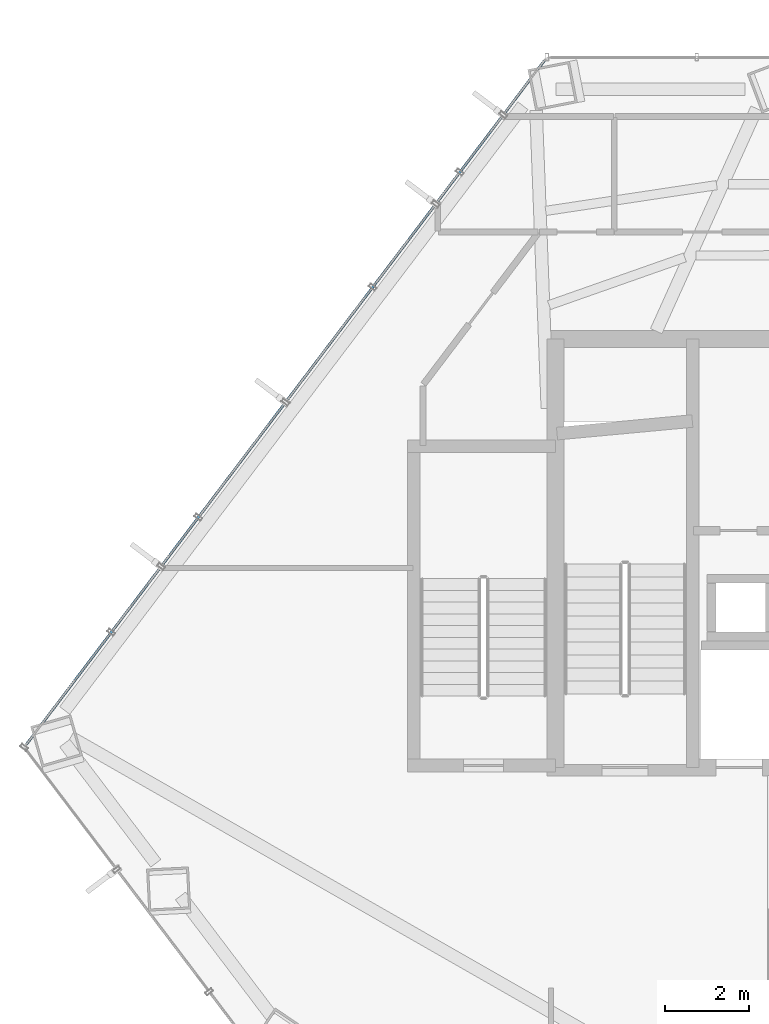
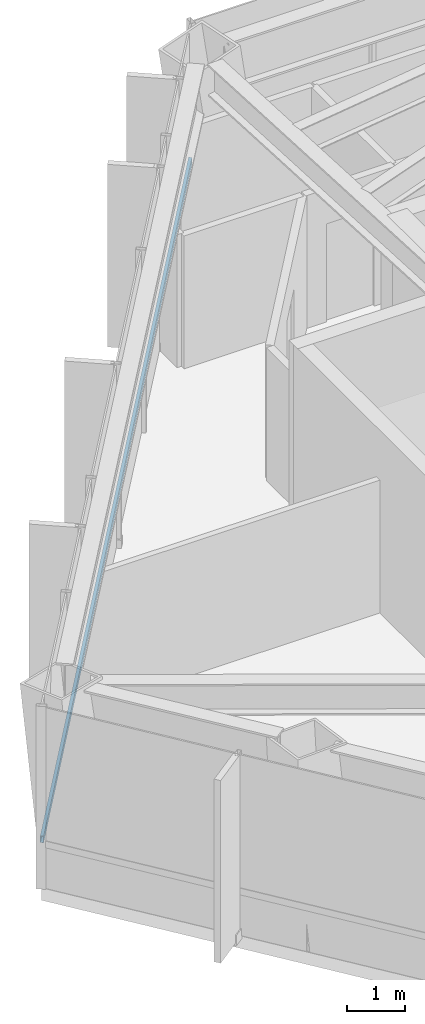
# One storey, part 12 of 26: 1 member, 1 element without a shape of its own.
"""IFC4 building model written with IfcOpenShell, lengths in metres."""

from ifc_helpers import new_model, si_unit, direction, frame, origin, origin_2d, place, context, subcontext, project, spatial, hollow_rectangle, extrude, material, layer, layer_set, material_profile, profile_set, type_object, element, aggregate, save


model = new_model("IFC4")

# Units and contexts
model_context = context("Model", 3, precision=1e-05, world=origin(), true_north=direction((0.0, 1.0)))
body_context = subcontext(model_context, "Body", "Model", "MODEL_VIEW")
ifc_project = project(units=[si_unit("LENGTHUNIT", "METRE"), si_unit("AREAUNIT", "SQUARE_METRE"), si_unit("VOLUMEUNIT", "CUBIC_METRE"), si_unit("PLANEANGLEUNIT", "RADIAN"), si_unit("MASSUNIT", "GRAM", prefix="KILO")], contexts=[model_context])

# Site, building, storey
site_placement = place(None, origin())
site = spatial("IfcSite", under=ifc_project, at=site_placement, CompositionType="ELEMENT")
building_placement = place(site_placement, origin())
building = spatial("IfcBuilding", under=site, at=building_placement, Name="Zarrinselat Tower", CompositionType="ELEMENT")
storey_placement = place(building_placement, frame((0.0, 0.0, 35.699951171875)))
storey = spatial("IfcBuildingStorey", under=building, at=storey_placement, Name="L08", CompositionType="ELEMENT", Elevation=35.699951171875)

# Curtain wall, member
ifc_material_1 = material(Name="Extruded Aluminium Alloy EN AW-6063 T6", Category="aluminium")
ifc_layer = layer(ifc_material_1, 0.18505859375)
ifc_layer_set = layer_set([ifc_layer], Name="Extruded Aluminium Alloy EN AW-6063 T6")
curtain_wall_type = type_object("IfcCurtainWallType", Name="CWS-OFF", PredefinedType="NOTDEFINED", material=ifc_layer_set)
curtain_wall_placement = place(storey_placement, origin())
curtain_wall = element("IfcCurtainWall", 1, at=curtain_wall_placement, inside=storey, type_object=curtain_wall_type, Name="L08 Unitised Curtain Wall CW-L08-E02", PredefinedType="NOTDEFINED")
ifc_material_2 = material(Name="Extruded Aluminium Alloy EN AW-6063 T6", Category="aluminium")
ifc_material_profile = material_profile(ifc_material_2, hollow_rectangle(XDim=0.06005859375, YDim=0.139892578125, WallThickness=0.00390625, at=origin_2d()), Name="RHS 140x60x4")
ifc_profile_set = profile_set([ifc_material_profile], Name="Extruded Aluminium Alloy EN AW-6063 T6")
member_type = type_object("IfcMemberType", Name="MEM-CW-TRN", PredefinedType="USERDEFINED", material=ifc_profile_set)
member_placement = place(storey_placement, frame((28.34521484375, 50.08935546875, 0.949951171875), z_axis=(-0.60386251914, -0.797088488173, 0.0), x_axis=(0.797088488173, -0.60386251914, 0.0)))
member = element("IfcMember", 2, at=member_placement, type_object=member_type, Name="CW-L08-E02 Transom 1", ObjectType="TRANSOM", PredefinedType="USERDEFINED", context=body_context, shape_type="SweptSolid", body=[
    extrude(hollow_rectangle(XDim=0.06005859375, YDim=0.139892578125, WallThickness=0.00390625, at=origin_2d()), origin(), (0.0, 0.0, 1.0), 20.43212890625),
])
aggregate(curtain_wall, [member])

save(model, "model.ifc")
